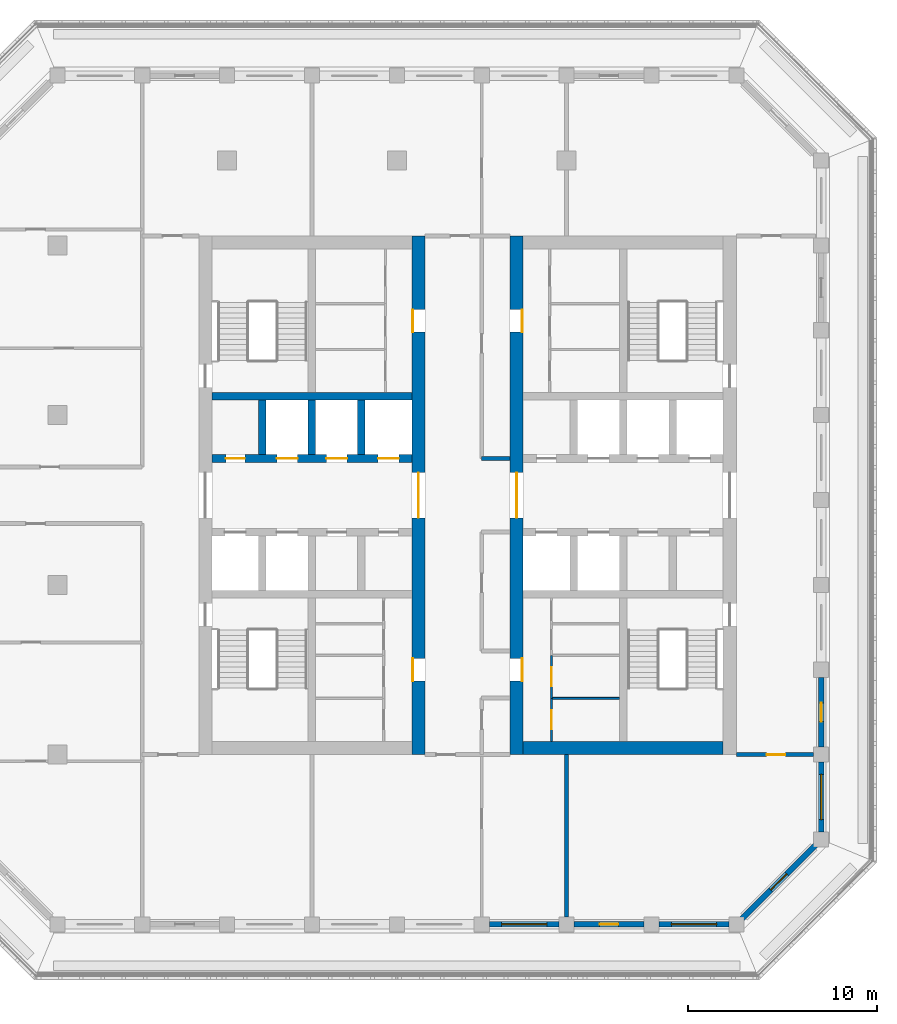
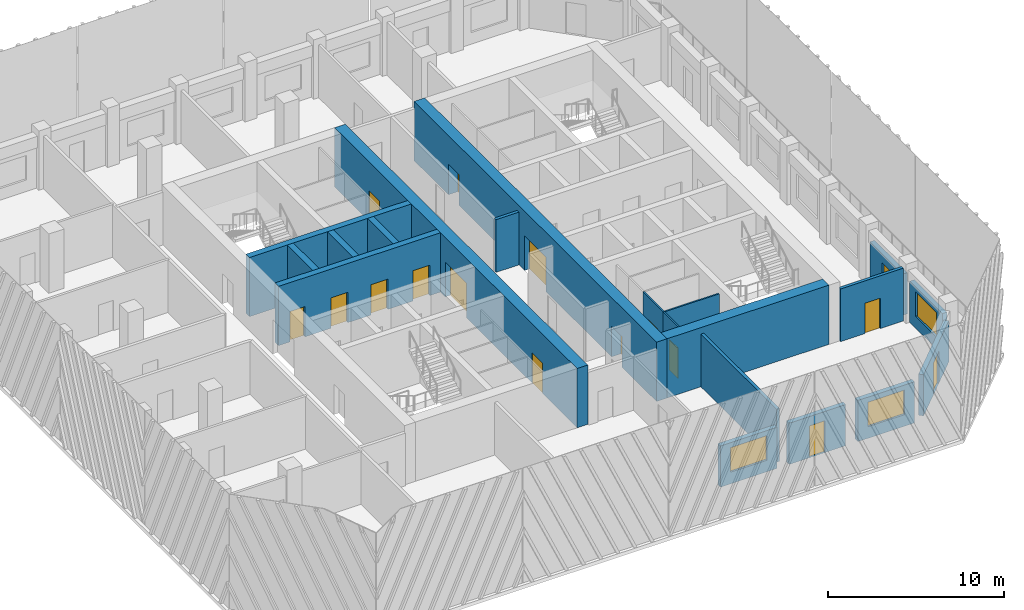
# One storey, part 4 of 15: 20 walls, 16 doors, 3 windows, 19 openings.
"""IFC4 building model written with IfcOpenShell, lengths in metres."""

from ifc_helpers import new_model, si_unit, direction, frame, frame_2d, origin, place, context, subcontext, project, spatial, rectangle, extrude, material, layer, layer_set, type_object, element, fill, save


model = new_model("IFC4")

# Units and contexts
model_context = context("Model", 3, precision=1e-05, world=origin(), true_north=direction((0.0, 1.0)))
body_context = subcontext(model_context, "Body", "Model", "MODEL_VIEW")
ifc_project = project(units=[si_unit("LENGTHUNIT", "METRE"), si_unit("AREAUNIT", "SQUARE_METRE"), si_unit("VOLUMEUNIT", "CUBIC_METRE"), si_unit("PLANEANGLEUNIT", "RADIAN"), si_unit("MASSUNIT", "GRAM", prefix="KILO")], contexts=[model_context])

# Site, building, storey
site_placement = place(None, origin())
site = spatial("IfcSite", under=ifc_project, at=site_placement, CompositionType="ELEMENT")
building_placement = place(site_placement, origin())
building = spatial("IfcBuilding", under=site, at=building_placement, Name="Corbel Stack Research Tower", CompositionType="ELEMENT")
storey_placement = place(building_placement, frame((0.0, 0.0, 282.699951171875)))
storey = spatial("IfcBuildingStorey", under=building, at=storey_placement, Name="L64", CompositionType="ELEMENT", Elevation=282.699951171875)

# Wall, openings, doors
ifc_material_1 = material(Name="Concrete C60/75", Category="concrete")
ifc_layer_1 = layer(ifc_material_1, 0.39990234375)
ifc_layer_set_1 = layer_set([ifc_layer_1], Name="Concrete C60/75")
wall_type_1 = type_object("IfcWallType", Name="CW-400-60", PredefinedType="SHEAR", material=ifc_layer_set_1)
wall_1_placement = place(storey_placement, frame((-9.800048828125, 6.699951171875, 0.0), z_axis=(0.0, 0.0, 1.0), x_axis=(1.0, 0.0, 0.0)))
wall_1 = element("IfcWall", 1, at=wall_1_placement, inside=storey, type_object=wall_type_1, Name="West core wall, lobby north L64", PredefinedType="SHEAR", context=body_context, shape_type="SweptSolid", body=[
    extrude(rectangle(XDim=10.60009765625, YDim=0.39990234375, at=frame_2d((5.300048828125, 0.0))), origin(), (0.0, 0.0, 1.0), 4.10009765625),
])
opening_1_placement = place(wall_1_placement, frame((3.4375, 0.0, 0.0)))
opening_1 = element("IfcOpeningElement", 2, at=opening_1_placement, cuts=wall_1, Name="Opening LD-HR1", PredefinedType="OPENING", context=body_context, shape_type="SweptSolid", body=[
    extrude(rectangle(XDim=1.10009765625, YDim=2.10009765625, at=frame_2d((0.550048828125, 1.050048828125))), frame((0.0, 0.2099609375, 0.0), z_axis=(0.0, -1.0, 0.0), x_axis=(1.0, 0.0, 0.0)), (0.0, 0.0, 1.0), 0.419921875),
])
opening_2_placement = place(wall_1_placement, frame((6.0625, 0.0, 0.0)))
opening_2 = element("IfcOpeningElement", 3, at=opening_2_placement, cuts=wall_1, Name="Opening LD-HR2", PredefinedType="OPENING", context=body_context, shape_type="SweptSolid", body=[
    extrude(rectangle(XDim=1.10009765625, YDim=2.10009765625, at=frame_2d((0.550048828125, 1.050048828125))), frame((0.0, 0.2099609375, 0.0), z_axis=(0.0, -1.0, 0.0), x_axis=(1.0, 0.0, 0.0)), (0.0, 0.0, 1.0), 0.419921875),
])
opening_3_placement = place(wall_1_placement, frame((8.8125, 0.0, 0.0)))
opening_3 = element("IfcOpeningElement", 4, at=opening_3_placement, cuts=wall_1, Name="Opening LD-HR3", PredefinedType="OPENING", context=body_context, shape_type="SweptSolid", body=[
    extrude(rectangle(XDim=1.10009765625, YDim=2.10009765625, at=frame_2d((0.550048828125, 1.050048828125))), frame((0.0, 0.2099609375, 0.0), z_axis=(0.0, -1.0, 0.0), x_axis=(1.0, 0.0, 0.0)), (0.0, 0.0, 1.0), 0.419921875),
])
opening_4_placement = place(wall_1_placement, frame((0.737548828125, 0.0, 0.0)))
opening_4 = element("IfcOpeningElement", 5, at=opening_4_placement, cuts=wall_1, Name="Opening CR-W42-N1", PredefinedType="OPENING", context=body_context, shape_type="SweptSolid", body=[
    extrude(rectangle(XDim=1.0, YDim=2.10009765625, at=frame_2d((0.5, 1.050048828125))), frame((0.0, 0.2099609375, 0.0), z_axis=(0.0, -1.0, 0.0), x_axis=(1.0, 0.0, 0.0)), (0.0, 0.0, 1.0), 0.419921875),
])
ifc_material_2 = material(Name="Stainless steel landing door", Category="steel")
door_type_1 = type_object("IfcDoorType", Name="Lift landing door 1100 x 2100", OperationType="DOUBLE_DOOR_SLIDING", PredefinedType="DOOR", material=ifc_material_2)
door_1_placement = place(opening_1_placement, origin())
door_1 = element("IfcDoor", 6, at=door_1_placement, inside=storey, type_object=door_type_1, Name="Landing door HR1", OperationType="DOUBLE_DOOR_SLIDING", OverallHeight=2.10009765625, OverallWidth=1.10009765625, PredefinedType="DOOR", context=body_context, shape_type="SweptSolid", body=[
    extrude(rectangle(XDim=1.10009765625, YDim=2.10009765625, at=frame_2d((0.550048828125, 1.050048828125))), frame((0.0, 0.02490234375, 0.0), z_axis=(0.0, -1.0, 0.0), x_axis=(1.0, 0.0, 0.0)), (0.0, 0.0, 1.0), 0.050048828125),
])
fill(opening_1, door_1)
door_2_placement = place(opening_2_placement, origin())
door_2 = element("IfcDoor", 7, at=door_2_placement, inside=storey, type_object=door_type_1, Name="Landing door HR2", OperationType="DOUBLE_DOOR_SLIDING", OverallHeight=2.10009765625, OverallWidth=1.10009765625, PredefinedType="DOOR", context=body_context, shape_type="SweptSolid", body=[
    extrude(rectangle(XDim=1.10009765625, YDim=2.10009765625, at=frame_2d((0.550048828125, 1.050048828125))), frame((0.0, 0.02490234375, 0.0), z_axis=(0.0, -1.0, 0.0), x_axis=(1.0, 0.0, 0.0)), (0.0, 0.0, 1.0), 0.050048828125),
])
fill(opening_2, door_2)
door_3_placement = place(opening_3_placement, origin())
door_3 = element("IfcDoor", 8, at=door_3_placement, inside=storey, type_object=door_type_1, Name="Landing door HR3", OperationType="DOUBLE_DOOR_SLIDING", OverallHeight=2.10009765625, OverallWidth=1.10009765625, PredefinedType="DOOR", context=body_context, shape_type="SweptSolid", body=[
    extrude(rectangle(XDim=1.10009765625, YDim=2.10009765625, at=frame_2d((0.550048828125, 1.050048828125))), frame((0.0, 0.02490234375, 0.0), z_axis=(0.0, -1.0, 0.0), x_axis=(1.0, 0.0, 0.0)), (0.0, 0.0, 1.0), 0.050048828125),
])
fill(opening_3, door_3)
ifc_material_3 = material(Name="Painted steel door", Category="steel")
door_type_2 = type_object("IfcDoorType", Name="Service door 1000 x 2100 FD60 left hand", OperationType="SINGLE_SWING_LEFT", PredefinedType="DOOR", material=ifc_material_3)
door_4_placement = place(opening_4_placement, origin())
door_4 = element("IfcDoor", 9, at=door_4_placement, inside=storey, type_object=door_type_2, Name="Copy and supply store door W core", OperationType="SINGLE_SWING_LEFT", OverallHeight=2.10009765625, OverallWidth=1.0, PredefinedType="DOOR", context=body_context, shape_type="SweptSolid", body=[
    extrude(rectangle(XDim=1.0, YDim=2.10009765625, at=frame_2d((0.5, 1.050048828125))), frame((0.0, 0.02490234375, 0.0), z_axis=(0.0, -1.0, 0.0), x_axis=(1.0, 0.0, 0.0)), (0.0, 0.0, 1.0), 0.050048828125),
])
fill(opening_4, door_4)

# Walls
wall_2_placement = place(storey_placement, frame((-9.800048828125, 10.0, 0.0), z_axis=(0.0, 0.0, 1.0), x_axis=(1.0, 0.0, 0.0)))
element("IfcWall", 10, at=wall_2_placement, inside=storey, type_object=wall_type_1, Name="West core wall, north row back L64", PredefinedType="SHEAR", context=body_context, shape_type="SweptSolid", body=[
    extrude(rectangle(XDim=10.60009765625, YDim=0.39990234375, at=frame_2d((5.300048828125, 0.0))), origin(), (0.0, 0.0, 1.0), 4.10009765625),
])
for number, where, z_axis, x_axis, name in (
    (11, (-7.125, 6.89990234375, 0.0), (0.0, 0.0, 1.0), (0.0, 1.0, 0.0), "West core wall, north shaft 1 L64"),
    (12, (-4.5, 6.89990234375, 0.0), (0.0, 0.0, 1.0), (0.0, 1.0, 0.0), "West core wall, north shaft 2 L64"),
    (13, (-1.875, 6.89990234375, 0.0), (0.0, 0.0, 1.0), (0.0, 1.0, 0.0), "West core wall, north shaft 3 L64"),
):
    element("IfcWall", number, at=place(storey_placement, frame(where, z_axis=z_axis, x_axis=x_axis)), inside=storey, type_object=wall_type_1, Name=name, PredefinedType="SHEAR", context=body_context, shape_type="SweptSolid", body=[
        extrude(rectangle(XDim=2.900146484375, YDim=0.39990234375, at=frame_2d((1.4501953125, 0.0))), origin(), (0.0, 0.0, 1.0), 4.10009765625),
    ])

# Wall, openings, doors
ifc_material_4 = material(Name="Concrete C60/75", Category="concrete")
ifc_layer_2 = layer(ifc_material_4, 0.699951171875)
ifc_layer_set_2 = layer_set([ifc_layer_2], Name="Concrete C60/75")
wall_type_2 = type_object("IfcWallType", Name="CW-700-60", PredefinedType="SHEAR", material=ifc_layer_set_2)
wall_3_placement = place(storey_placement, frame((1.14990234375, -9.0, 0.0), z_axis=(0.0, 0.0, 1.0), x_axis=(0.0, 1.0, 0.0)))
wall_3 = element("IfcWall", 14, at=wall_3_placement, inside=storey, type_object=wall_type_2, Name="West core wall, east face L64", PredefinedType="SHEAR", context=body_context, shape_type="SweptSolid", body=[
    extrude(rectangle(XDim=27.5, YDim=0.699951171875, at=frame_2d((13.75, 0.0))), origin(), (0.0, 0.0, 1.0), 4.10009765625),
])
opening_5_placement = place(wall_3_placement, frame((12.550048828125, 0.0, 0.0)))
opening_5 = element("IfcOpeningElement", 15, at=opening_5_placement, cuts=wall_3, Name="Opening CD-W-E", PredefinedType="OPENING", context=body_context, shape_type="SweptSolid", body=[
    extrude(rectangle(XDim=2.39990234375, YDim=2.39990234375, at=frame_2d((1.199951171875, 1.199951171875))), frame((0.0, 0.35986328125, 0.0), z_axis=(0.0, -1.0, 0.0), x_axis=(1.0, 0.0, 0.0)), (0.0, 0.0, 1.0), 0.719970703125),
])
opening_6_placement = place(wall_3_placement, frame((3.89990234375, 0.0, 0.0)))
opening_6 = element("IfcOpeningElement", 16, at=opening_6_placement, cuts=wall_3, Name="Opening CR-W42-W1-1200", PredefinedType="OPENING", context=body_context, shape_type="SweptSolid", body=[
    extrude(rectangle(XDim=1.199951171875, YDim=2.10009765625, at=frame_2d((0.60009765625, 1.050048828125))), frame((0.0, 0.35986328125, 0.0), z_axis=(0.0, -1.0, 0.0), x_axis=(1.0, 0.0, 0.0)), (0.0, 0.0, 1.0), 0.719970703125),
])
opening_7_placement = place(wall_3_placement, frame((22.39990234375, 0.0, 0.0)))
opening_7 = element("IfcOpeningElement", 17, at=opening_7_placement, cuts=wall_3, Name="Opening CR-W42-R1-1200", PredefinedType="OPENING", context=body_context, shape_type="SweptSolid", body=[
    extrude(rectangle(XDim=1.199951171875, YDim=2.10009765625, at=frame_2d((0.60009765625, 1.050048828125))), frame((0.0, 0.35986328125, 0.0), z_axis=(0.0, -1.0, 0.0), x_axis=(1.0, 0.0, 0.0)), (0.0, 0.0, 1.0), 0.719970703125),
])
ifc_material_5 = material(Name="Painted steel fire door", Category="steel")
door_type_3 = type_object("IfcDoorType", Name="Lobby door pair 2400 x 2400 FD30S", OperationType="DOUBLE_DOOR_DOUBLE_SWING", PredefinedType="DOOR", material=ifc_material_5)
door_5_placement = place(opening_5_placement, origin())
door_5 = element("IfcDoor", 18, at=door_5_placement, inside=storey, type_object=door_type_3, Name="Lift lobby door W core E", OperationType="DOUBLE_DOOR_DOUBLE_SWING", OverallHeight=2.39990234375, OverallWidth=2.39990234375, PredefinedType="DOOR", context=body_context, shape_type="SweptSolid", body=[
    extrude(rectangle(XDim=2.39990234375, YDim=2.39990234375, at=frame_2d((1.199951171875, 1.199951171875))), frame((0.0, 0.02490234375, 0.0), z_axis=(0.0, -1.0, 0.0), x_axis=(1.0, 0.0, 0.0)), (0.0, 0.0, 1.0), 0.050048828125),
])
fill(opening_5, door_5)
ifc_material_6 = material(Name="Painted steel door", Category="steel")
door_type_4 = type_object("IfcDoorType", Name="Service door 1200 x 2100 FD30 left hand", OperationType="SINGLE_SWING_LEFT", PredefinedType="DOOR", material=ifc_material_6)
door_6_placement = place(opening_7_placement, origin())
door_6 = element("IfcDoor", 19, at=door_6_placement, inside=storey, type_object=door_type_4, Name="Service passage door W core", OperationType="SINGLE_SWING_LEFT", OverallHeight=2.10009765625, OverallWidth=1.199951171875, PredefinedType="DOOR", context=body_context, shape_type="SweptSolid", body=[
    extrude(rectangle(XDim=1.199951171875, YDim=2.10009765625, at=frame_2d((0.60009765625, 1.050048828125))), frame((0.0, 0.3251953125, 0.0), z_axis=(0.0, -1.0, 0.0), x_axis=(1.0, 0.0, 0.0)), (0.0, 0.0, 1.0), 0.050048828125),
])
fill(opening_7, door_6)
ifc_material_7 = material(Name="Painted timber door", Category="wood")
door_type_5 = type_object("IfcDoorType", Name="WC door 1200 x 2100 left hand", OperationType="SINGLE_SWING_LEFT", PredefinedType="DOOR", material=ifc_material_7)
door_7_placement = place(opening_6_placement, origin())
door_7 = element("IfcDoor", 20, at=door_7_placement, inside=storey, type_object=door_type_5, Name="WC lobby door W core", OperationType="SINGLE_SWING_LEFT", OverallHeight=2.10009765625, OverallWidth=1.199951171875, PredefinedType="DOOR", context=body_context, shape_type="SweptSolid", body=[
    extrude(rectangle(XDim=1.199951171875, YDim=2.10009765625, at=frame_2d((0.60009765625, 1.050048828125))), frame((0.0, 0.3251953125, 0.0), z_axis=(0.0, -1.0, 0.0), x_axis=(1.0, 0.0, 0.0)), (0.0, 0.0, 1.0), 0.050048828125),
])
fill(opening_6, door_7)

wall_4_placement = place(storey_placement, frame((6.35009765625, -9.0, 0.0), z_axis=(0.0, 0.0, 1.0), x_axis=(0.0, 1.0, 0.0)))
wall_4 = element("IfcWall", 21, at=wall_4_placement, inside=storey, type_object=wall_type_2, Name="East core wall, west face L64", PredefinedType="SHEAR", context=body_context, shape_type="SweptSolid", body=[
    extrude(rectangle(XDim=27.5, YDim=0.699951171875, at=frame_2d((13.75, 0.0))), origin(), (0.0, 0.0, 1.0), 4.10009765625),
])
opening_8_placement = place(wall_4_placement, frame((12.550048828125, 0.0, 0.0)))
opening_8 = element("IfcOpeningElement", 22, at=opening_8_placement, cuts=wall_4, Name="Opening CD-E-W", PredefinedType="OPENING", context=body_context, shape_type="SweptSolid", body=[
    extrude(rectangle(XDim=2.39990234375, YDim=2.39990234375, at=frame_2d((1.199951171875, 1.199951171875))), frame((0.0, 0.35986328125, 0.0), z_axis=(0.0, -1.0, 0.0), x_axis=(1.0, 0.0, 0.0)), (0.0, 0.0, 1.0), 0.719970703125),
])
opening_9_placement = place(wall_4_placement, frame((3.89990234375, 0.0, 0.0)))
opening_9 = element("IfcOpeningElement", 23, at=opening_9_placement, cuts=wall_4, Name="Opening CR-E42-W1-1200", PredefinedType="OPENING", context=body_context, shape_type="SweptSolid", body=[
    extrude(rectangle(XDim=1.199951171875, YDim=2.10009765625, at=frame_2d((0.60009765625, 1.050048828125))), frame((0.0, 0.35986328125, 0.0), z_axis=(0.0, -1.0, 0.0), x_axis=(1.0, 0.0, 0.0)), (0.0, 0.0, 1.0), 0.719970703125),
])
opening_10_placement = place(wall_4_placement, frame((22.39990234375, 0.0, 0.0)))
opening_10 = element("IfcOpeningElement", 24, at=opening_10_placement, cuts=wall_4, Name="Opening CR-E42-R1-1200", PredefinedType="OPENING", context=body_context, shape_type="SweptSolid", body=[
    extrude(rectangle(XDim=1.199951171875, YDim=2.10009765625, at=frame_2d((0.60009765625, 1.050048828125))), frame((0.0, 0.35986328125, 0.0), z_axis=(0.0, -1.0, 0.0), x_axis=(1.0, 0.0, 0.0)), (0.0, 0.0, 1.0), 0.719970703125),
])
door_8_placement = place(opening_8_placement, origin())
door_8 = element("IfcDoor", 25, at=door_8_placement, inside=storey, type_object=door_type_3, Name="Lift lobby door E core W", OperationType="DOUBLE_DOOR_DOUBLE_SWING", OverallHeight=2.39990234375, OverallWidth=2.39990234375, PredefinedType="DOOR", context=body_context, shape_type="SweptSolid", body=[
    extrude(rectangle(XDim=2.39990234375, YDim=2.39990234375, at=frame_2d((1.199951171875, 1.199951171875))), frame((0.0, 0.02490234375, 0.0), z_axis=(0.0, -1.0, 0.0), x_axis=(1.0, 0.0, 0.0)), (0.0, 0.0, 1.0), 0.050048828125),
])
fill(opening_8, door_8)
ifc_material_8 = material(Name="Painted steel door", Category="steel")
door_type_6 = type_object("IfcDoorType", Name="Service door 1200 x 2100 FD30 right hand", OperationType="SINGLE_SWING_RIGHT", PredefinedType="DOOR", material=ifc_material_8)
door_9_placement = place(opening_10_placement, origin())
door_9 = element("IfcDoor", 26, at=door_9_placement, inside=storey, type_object=door_type_6, Name="Service passage door E core", OperationType="SINGLE_SWING_RIGHT", OverallHeight=2.10009765625, OverallWidth=1.199951171875, PredefinedType="DOOR", context=body_context, shape_type="SweptSolid", body=[
    extrude(rectangle(XDim=1.199951171875, YDim=2.10009765625, at=frame_2d((0.60009765625, 1.050048828125))), frame((0.0, -0.27490234375, 0.0), z_axis=(0.0, -1.0, 0.0), x_axis=(1.0, 0.0, 0.0)), (0.0, 0.0, 1.0), 0.050048828125),
])
fill(opening_10, door_9)
ifc_material_9 = material(Name="Painted timber door", Category="wood")
door_type_7 = type_object("IfcDoorType", Name="WC door 1200 x 2100 right hand", OperationType="SINGLE_SWING_RIGHT", PredefinedType="DOOR", material=ifc_material_9)
door_10_placement = place(opening_9_placement, origin())
door_10 = element("IfcDoor", 27, at=door_10_placement, inside=storey, type_object=door_type_7, Name="WC lobby door E core", OperationType="SINGLE_SWING_RIGHT", OverallHeight=2.10009765625, OverallWidth=1.199951171875, PredefinedType="DOOR", context=body_context, shape_type="SweptSolid", body=[
    extrude(rectangle(XDim=1.199951171875, YDim=2.10009765625, at=frame_2d((0.60009765625, 1.050048828125))), frame((0.0, -0.27490234375, 0.0), z_axis=(0.0, -1.0, 0.0), x_axis=(1.0, 0.0, 0.0)), (0.0, 0.0, 1.0), 0.050048828125),
])
fill(opening_9, door_10)

# Wall
wall_5_placement = place(storey_placement, frame((6.699951171875, -8.64990234375, 0.0), z_axis=(0.0, 0.0, 1.0), x_axis=(1.0, 0.0, 0.0)))
element("IfcWall", 28, at=wall_5_placement, inside=storey, type_object=wall_type_2, Name="East core wall, south end L64", PredefinedType="SHEAR", context=body_context, shape_type="SweptSolid", body=[
    extrude(rectangle(XDim=10.60009765625, YDim=0.699951171875, at=frame_2d((5.300048828125, 0.0))), origin(), (0.0, 0.0, 1.0), 4.10009765625),
])

# Wall, opening, door
ifc_material_10 = material(Name="Gypsum board")
ifc_layer_3 = layer(ifc_material_10, 0.10009765625)
ifc_layer_set_3 = layer_set([ifc_layer_3], Name="Gypsum board")
wall_type_3 = type_object("IfcWallType", Name="Core partition 100", PredefinedType="PARTITIONING", material=ifc_layer_set_3)
wall_6_placement = place(storey_placement, frame((8.199951171875, -8.300048828125, 0.0), z_axis=(0.0, 0.0, 1.0), x_axis=(0.0, 1.0, 0.0)))
wall_6 = element("IfcWall", 29, at=wall_6_placement, inside=storey, type_object=wall_type_3, Name="Core partition E", PredefinedType="PARTITIONING", context=body_context, shape_type="SweptSolid", body=[
    extrude(rectangle(XDim=2.280029296875, YDim=0.10009765625, at=frame_2d((1.14013671875, 0.0))), origin(), (0.0, 0.0, 1.0), 3.650146484375),
])
opening_11_placement = place(wall_6_placement, frame((0.639892578125, 0.0, 0.0)))
opening_11 = element("IfcOpeningElement", 30, at=opening_11_placement, cuts=wall_6, Name="Opening CR-E42-W2-1000", PredefinedType="OPENING", context=body_context, shape_type="SweptSolid", body=[
    extrude(rectangle(XDim=1.0, YDim=2.10009765625, at=frame_2d((0.5, 1.050048828125))), frame((0.0, 0.06005859375, 0.0), z_axis=(0.0, -1.0, 0.0), x_axis=(1.0, 0.0, 0.0)), (0.0, 0.0, 1.0), 0.1201171875),
])
ifc_material_11 = material(Name="Painted timber door", Category="wood")
door_type_8 = type_object("IfcDoorType", Name="WC door 1000 x 2100 left hand", OperationType="SINGLE_SWING_LEFT", PredefinedType="DOOR", material=ifc_material_11)
door_11_placement = place(opening_11_placement, origin())
door_11 = element("IfcDoor", 31, at=door_11_placement, inside=storey, type_object=door_type_8, Name="Men's WC door E core", OperationType="SINGLE_SWING_LEFT", OverallHeight=2.10009765625, OverallWidth=1.0, PredefinedType="DOOR", context=body_context, shape_type="SweptSolid", body=[
    extrude(rectangle(XDim=1.0, YDim=2.10009765625, at=frame_2d((0.5, 1.050048828125))), frame((0.0, 0.02490234375, 0.0), z_axis=(0.0, -1.0, 0.0), x_axis=(1.0, 0.0, 0.0)), (0.0, 0.0, 1.0), 0.050048828125),
])
fill(opening_11, door_11)

wall_7_placement = place(storey_placement, frame((8.199951171875, -6.02001953125, 0.0), z_axis=(0.0, 0.0, 1.0), x_axis=(0.0, 1.0, 0.0)))
wall_7 = element("IfcWall", 32, at=wall_7_placement, inside=storey, type_object=wall_type_3, Name="Core partition E", PredefinedType="PARTITIONING", context=body_context, shape_type="SweptSolid", body=[
    extrude(rectangle(XDim=2.280029296875, YDim=0.10009765625, at=frame_2d((1.14013671875, 0.0))), origin(), (0.0, 0.0, 1.0), 3.650146484375),
])
opening_12_placement = place(wall_7_placement, frame((0.639892578125, 0.0, 0.0)))
opening_12 = element("IfcOpeningElement", 33, at=opening_12_placement, cuts=wall_7, Name="Opening CR-E42-W3-1000", PredefinedType="OPENING", context=body_context, shape_type="SweptSolid", body=[
    extrude(rectangle(XDim=1.0, YDim=2.10009765625, at=frame_2d((0.5, 1.050048828125))), frame((0.0, 0.06005859375, 0.0), z_axis=(0.0, -1.0, 0.0), x_axis=(1.0, 0.0, 0.0)), (0.0, 0.0, 1.0), 0.1201171875),
])
ifc_material_12 = material(Name="Painted timber door", Category="wood")
door_type_9 = type_object("IfcDoorType", Name="WC door 1000 x 2100 right hand", OperationType="SINGLE_SWING_RIGHT", PredefinedType="DOOR", material=ifc_material_12)
door_12_placement = place(opening_12_placement, origin())
door_12 = element("IfcDoor", 34, at=door_12_placement, inside=storey, type_object=door_type_9, Name="Women's WC door E core", OperationType="SINGLE_SWING_RIGHT", OverallHeight=2.10009765625, OverallWidth=1.0, PredefinedType="DOOR", context=body_context, shape_type="SweptSolid", body=[
    extrude(rectangle(XDim=1.0, YDim=2.10009765625, at=frame_2d((0.5, 1.050048828125))), frame((0.0, 0.02490234375, 0.0), z_axis=(0.0, -1.0, 0.0), x_axis=(1.0, 0.0, 0.0)), (0.0, 0.0, 1.0), 0.050048828125),
])
fill(opening_12, door_12)

# Walls
wall_8_placement = place(storey_placement, frame((8.199951171875, -6.02001953125, 0.0), z_axis=(0.0, 0.0, 1.0), x_axis=(1.0, 0.0, 0.0)))
element("IfcWall", 35, at=wall_8_placement, inside=storey, type_object=wall_type_3, Name="Core partition E", PredefinedType="PARTITIONING", context=body_context, shape_type="SweptSolid", body=[
    extrude(rectangle(XDim=3.60009765625, YDim=0.10009765625, at=frame_2d((1.800048828125, 0.0))), origin(), (0.0, 0.0, 1.0), 3.650146484375),
])
ifc_material_13 = material(Name="Fire-rated gypsum board partition on steel studs", Category="steel")
ifc_layer_4 = layer(ifc_material_13, 0.199951171875)
ifc_layer_set_4 = layer_set([ifc_layer_4], Name="Fire-rated gypsum board partition on steel studs")
wall_type_4 = type_object("IfcWallType", Name="Fire-rated partition 200 EI 60", PredefinedType="PARTITIONING", material=ifc_layer_set_4)
wall_9_placement = place(storey_placement, frame((9.0, -17.60009765625, 0.0), z_axis=(0.0, 0.0, 1.0), x_axis=(0.0, 1.0, 0.0)))
element("IfcWall", 36, at=wall_9_placement, inside=storey, type_object=wall_type_4, Name="Partition L64-010", PredefinedType="PARTITIONING", context=body_context, shape_type="SweptSolid", body=[
    extrude(rectangle(XDim=8.60009765625, YDim=0.199951171875, at=frame_2d((4.300048828125, 0.0))), origin(), (0.0, 0.0, 1.0), 3.650146484375),
])

# Wall, opening, door
wall_10_placement = place(storey_placement, frame((22.10009765625, -9.0, 0.0), z_axis=(0.0, 0.0, 1.0), x_axis=(-1.0, 0.0, 0.0)))
wall_10 = element("IfcWall", 37, at=wall_10_placement, inside=storey, type_object=wall_type_4, Name="Partition L64-017", PredefinedType="PARTITIONING", context=body_context, shape_type="SweptSolid", body=[
    extrude(rectangle(XDim=4.10009765625, YDim=0.199951171875, at=frame_2d((2.050048828125, 0.0))), origin(), (0.0, 0.0, 1.0), 3.650146484375),
])
opening_13_placement = place(wall_10_placement, frame((1.5, 0.0, 0.0)))
opening_13 = element("IfcOpeningElement", 38, at=opening_13_placement, cuts=wall_10, Name="Opening B8V2-004", PredefinedType="OPENING", context=body_context, shape_type="SweptSolid", body=[
    extrude(rectangle(XDim=1.0, YDim=2.10009765625, at=frame_2d((0.5, 1.050048828125))), frame((0.0, 0.10986328125, 0.0), z_axis=(0.0, -1.0, 0.0), x_axis=(1.0, 0.0, 0.0)), (0.0, 0.0, 1.0), 0.219970703125),
])
ifc_material_14 = material(Name="Painted steel fire door", Category="steel")
door_type_10 = type_object("IfcDoorType", Name="Fire door FD30S 1000 x 2100", OperationType="NOTDEFINED", PredefinedType="DOOR", material=ifc_material_14)
door_13_placement = place(opening_13_placement, origin())
door_13 = element("IfcDoor", 39, at=door_13_placement, inside=storey, type_object=door_type_10, Name="Door B8V2-004", OperationType="SINGLE_SWING_LEFT", OverallHeight=2.10009765625, OverallWidth=1.0, PredefinedType="DOOR", context=body_context, shape_type="SweptSolid", body=[
    extrude(rectangle(XDim=1.0, YDim=2.10009765625, at=frame_2d((0.5, 1.050048828125))), frame((0.0, 0.02490234375, 0.0), z_axis=(0.0, -1.0, 0.0), x_axis=(1.0, 0.0, 0.0)), (0.0, 0.0, 1.0), 0.050048828125),
])
fill(opening_13, door_13)

# Wall
wall_11_placement = place(storey_placement, frame((4.5, 6.699951171875, 0.0), z_axis=(0.0, 0.0, 1.0), x_axis=(1.0, 0.0, 0.0)))
element("IfcWall", 40, at=wall_11_placement, inside=storey, type_object=wall_type_4, Name="Partition L64-024", PredefinedType="PARTITIONING", context=body_context, shape_type="SweptSolid", body=[
    extrude(rectangle(XDim=1.5, YDim=0.199951171875, at=frame_2d((0.75, 0.0))), origin(), (0.0, 0.0, 1.0), 3.650146484375),
])

# Wall, opening, window
ifc_material_15 = material(Name="Concrete C45/55", Category="concrete")
ifc_layer_5 = layer(ifc_material_15, 0.300048828125)
ifc_layer_set_5 = layer_set([ifc_layer_5], Name="Concrete C45/55")
wall_type_5 = type_object("IfcWallType", Name="Terracotta-faced concrete wall 300", PredefinedType="SOLIDWALL", material=ifc_layer_set_5)
wall_12_placement = place(storey_placement, frame((8.60009765625, -18.0, 0.0), z_axis=(0.0, 0.0, 1.0), x_axis=(-1.0, 0.0, 0.0)))
wall_12 = element("IfcWall", 41, at=wall_12_placement, inside=storey, type_object=wall_type_5, Name="Facade wall L64 S06", PredefinedType="SOLIDWALL", context=body_context, shape_type="SweptSolid", body=[
    extrude(rectangle(XDim=3.7001953125, YDim=0.300048828125, at=frame_2d((1.85009765625, 0.0))), origin(), (0.0, 0.0, 1.0), 2.85009765625),
])
opening_14_placement = place(wall_12_placement, frame((0.64990234375, 0.0, 0.800048828125)))
opening_14 = element("IfcOpeningElement", 42, at=opening_14_placement, cuts=wall_12, Name="Opening W1", PredefinedType="OPENING", context=body_context, shape_type="SweptSolid", body=[
    extrude(rectangle(XDim=2.39990234375, YDim=1.699951171875, at=frame_2d((1.199951171875, 0.85009765625))), frame((0.0, 0.159912109375, 0.0), z_axis=(0.0, -1.0, 0.0), x_axis=(1.0, 0.0, 0.0)), (0.0, 0.0, 1.0), 0.320068359375),
])
ifc_material_16 = material(Name="Aluminium frame, clear double glazing", Category="aluminium")
window_type = type_object("IfcWindowType", Name="Window W1 2400 x 1700", PartitioningType="SINGLE_PANEL", PredefinedType="WINDOW", material=ifc_material_16)
window_1_placement = place(opening_14_placement, origin())
window_1 = element("IfcWindow", 43, at=window_1_placement, inside=storey, type_object=window_type, Name="Window W1 L64 S06", OverallHeight=1.699951171875, OverallWidth=2.39990234375, PartitioningType="SINGLE_PANEL", PredefinedType="WINDOW", context=body_context, shape_type="SweptSolid", body=[
    extrude(rectangle(XDim=2.39990234375, YDim=1.699951171875, at=frame_2d((1.199951171875, 0.85009765625))), frame((0.0, 0.030029296875, 0.0), z_axis=(0.0, -1.0, 0.0), x_axis=(1.0, 0.0, 0.0)), (0.0, 0.0, 1.0), 0.06005859375),
])
fill(opening_14, window_1)

# Wall, opening, door
wall_13_placement = place(storey_placement, frame((13.10009765625, -18.0, 0.0), z_axis=(0.0, 0.0, 1.0), x_axis=(-1.0, 0.0, 0.0)))
wall_13 = element("IfcWall", 44, at=wall_13_placement, inside=storey, type_object=wall_type_5, Name="Facade wall L64 S07", PredefinedType="SOLIDWALL", context=body_context, shape_type="SweptSolid", body=[
    extrude(rectangle(XDim=3.7001953125, YDim=0.300048828125, at=frame_2d((1.85009765625, 0.0))), origin(), (0.0, 0.0, 1.0), 2.85009765625),
])
opening_15_placement = place(wall_13_placement, frame((1.35009765625, 0.0, 0.0)))
opening_15 = element("IfcOpeningElement", 45, at=opening_15_placement, cuts=wall_13, Name="Opening L64-B02", PredefinedType="OPENING", context=body_context, shape_type="SweptSolid", body=[
    extrude(rectangle(XDim=1.0, YDim=2.199951171875, at=frame_2d((0.5, 1.10009765625))), frame((0.0, 0.159912109375, 0.0), z_axis=(0.0, -1.0, 0.0), x_axis=(1.0, 0.0, 0.0)), (0.0, 0.0, 1.0), 0.320068359375),
])
ifc_material_17 = material(Name="Aluminium frame, clear double glazing", Category="aluminium")
door_type_11 = type_object("IfcDoorType", Name="Balcony door BD1 1000 x 2200", OperationType="NOTDEFINED", PredefinedType="DOOR", material=ifc_material_17)
door_14_placement = place(opening_15_placement, origin())
door_14 = element("IfcDoor", 46, at=door_14_placement, inside=storey, type_object=door_type_11, Name="Balcony door L64-B02", OperationType="SINGLE_SWING_LEFT", OverallHeight=2.199951171875, OverallWidth=1.0, PredefinedType="DOOR", context=body_context, shape_type="SweptSolid", body=[
    extrude(rectangle(XDim=1.0, YDim=2.199951171875, at=frame_2d((0.5, 1.10009765625))), frame((0.0, 0.02490234375, 0.0), z_axis=(0.0, -1.0, 0.0), x_axis=(1.0, 0.0, 0.0)), (0.0, 0.0, 1.0), 0.050048828125),
])
fill(opening_15, door_14)

# Wall, opening, window
wall_14_placement = place(storey_placement, frame((17.60009765625, -18.0, 0.0), z_axis=(0.0, 0.0, 1.0), x_axis=(-1.0, 0.0, 0.0)))
wall_14 = element("IfcWall", 47, at=wall_14_placement, inside=storey, type_object=wall_type_5, Name="Facade wall L64 S08", PredefinedType="SOLIDWALL", context=body_context, shape_type="SweptSolid", body=[
    extrude(rectangle(XDim=3.7001953125, YDim=0.300048828125, at=frame_2d((1.85009765625, 0.0))), origin(), (0.0, 0.0, 1.0), 2.85009765625),
])
opening_16_placement = place(wall_14_placement, frame((0.64990234375, 0.0, 0.800048828125)))
opening_16 = element("IfcOpeningElement", 48, at=opening_16_placement, cuts=wall_14, Name="Opening W1", PredefinedType="OPENING", context=body_context, shape_type="SweptSolid", body=[
    extrude(rectangle(XDim=2.39990234375, YDim=1.699951171875, at=frame_2d((1.199951171875, 0.85009765625))), frame((0.0, 0.159912109375, 0.0), z_axis=(0.0, -1.0, 0.0), x_axis=(1.0, 0.0, 0.0)), (0.0, 0.0, 1.0), 0.320068359375),
])
window_2_placement = place(opening_16_placement, origin())
window_2 = element("IfcWindow", 49, at=window_2_placement, inside=storey, type_object=window_type, Name="Window W1 L64 S08", OverallHeight=1.699951171875, OverallWidth=2.39990234375, PartitioningType="SINGLE_PANEL", PredefinedType="WINDOW", context=body_context, shape_type="SweptSolid", body=[
    extrude(rectangle(XDim=2.39990234375, YDim=1.699951171875, at=frame_2d((1.199951171875, 0.85009765625))), frame((0.0, 0.030029296875, 0.0), z_axis=(0.0, -1.0, 0.0), x_axis=(1.0, 0.0, 0.0)), (0.0, 0.0, 1.0), 0.06005859375),
])
fill(opening_16, window_2)

# Wall, opening, door
wall_15_placement = place(storey_placement, frame((22.2060546875, -13.7939453125, 0.0), z_axis=(0.0, 0.0, 1.0), x_axis=(-0.707106781187, -0.707106781187, 0.0)))
wall_15 = element("IfcWall", 50, at=wall_15_placement, inside=storey, type_object=wall_type_5, Name="Facade wall L64 SE01", PredefinedType="SOLIDWALL", context=body_context, shape_type="SweptSolid", body=[
    extrude(rectangle(XDim=5.532470703125, YDim=0.300048828125, at=frame_2d((2.76611328125, 0.0))), origin(), (0.0, 0.0, 1.0), 2.85009765625),
])
opening_17_placement = place(wall_15_placement, frame((2.166259765625, 0.0, 0.0)))
opening_17 = element("IfcOpeningElement", 51, at=opening_17_placement, cuts=wall_15, Name="Opening L64-B03", PredefinedType="OPENING", context=body_context, shape_type="SweptSolid", body=[
    extrude(rectangle(XDim=1.199951171875, YDim=2.199951171875, at=frame_2d((0.60009765625, 1.10009765625))), frame((0.0, 0.159912109375, 0.0), z_axis=(0.0, -1.0, 0.0), x_axis=(1.0, 0.0, 0.0)), (0.0, 0.0, 1.0), 0.320068359375),
])
ifc_material_18 = material(Name="Aluminium frame, clear double glazing", Category="aluminium")
door_type_12 = type_object("IfcDoorType", Name="Balcony door BD2 1200 x 2200", OperationType="NOTDEFINED", PredefinedType="DOOR", material=ifc_material_18)
door_15_placement = place(opening_17_placement, origin())
door_15 = element("IfcDoor", 52, at=door_15_placement, inside=storey, type_object=door_type_12, Name="Balcony door L64-B03", OperationType="SINGLE_SWING_LEFT", OverallHeight=2.199951171875, OverallWidth=1.199951171875, PredefinedType="DOOR", context=body_context, shape_type="SweptSolid", body=[
    extrude(rectangle(XDim=1.199951171875, YDim=2.199951171875, at=frame_2d((0.60009765625, 1.10009765625))), frame((0.0, 0.02490234375, 0.0), z_axis=(0.0, -1.0, 0.0), x_axis=(1.0, 0.0, 0.0)), (0.0, 0.0, 1.0), 0.050048828125),
])
fill(opening_17, door_15)

# Wall, opening, window
wall_16_placement = place(storey_placement, frame((22.5, -9.39990234375, 0.0), z_axis=(0.0, 0.0, 1.0), x_axis=(0.0, -1.0, 0.0)))
wall_16 = element("IfcWall", 53, at=wall_16_placement, inside=storey, type_object=wall_type_5, Name="Facade wall L64 E01", PredefinedType="SOLIDWALL", context=body_context, shape_type="SweptSolid", body=[
    extrude(rectangle(XDim=3.7001953125, YDim=0.300048828125, at=frame_2d((1.85009765625, 0.0))), origin(), (0.0, 0.0, 1.0), 2.85009765625),
])
opening_18_placement = place(wall_16_placement, frame((0.64990234375, 0.0, 0.800048828125)))
opening_18 = element("IfcOpeningElement", 54, at=opening_18_placement, cuts=wall_16, Name="Opening W1", PredefinedType="OPENING", context=body_context, shape_type="SweptSolid", body=[
    extrude(rectangle(XDim=2.39990234375, YDim=1.699951171875, at=frame_2d((1.199951171875, 0.85009765625))), frame((0.0, 0.159912109375, 0.0), z_axis=(0.0, -1.0, 0.0), x_axis=(1.0, 0.0, 0.0)), (0.0, 0.0, 1.0), 0.320068359375),
])
window_3_placement = place(opening_18_placement, origin())
window_3 = element("IfcWindow", 55, at=window_3_placement, inside=storey, type_object=window_type, Name="Window W1 L64 E01", OverallHeight=1.699951171875, OverallWidth=2.39990234375, PartitioningType="SINGLE_PANEL", PredefinedType="WINDOW", context=body_context, shape_type="SweptSolid", body=[
    extrude(rectangle(XDim=2.39990234375, YDim=1.699951171875, at=frame_2d((1.199951171875, 0.85009765625))), frame((0.0, 0.030029296875, 0.0), z_axis=(0.0, -1.0, 0.0), x_axis=(1.0, 0.0, 0.0)), (0.0, 0.0, 1.0), 0.06005859375),
])
fill(opening_18, window_3)

# Wall, opening, door
wall_17_placement = place(storey_placement, frame((22.5, -4.89990234375, 0.0), z_axis=(0.0, 0.0, 1.0), x_axis=(0.0, -1.0, 0.0)))
wall_17 = element("IfcWall", 56, at=wall_17_placement, inside=storey, type_object=wall_type_5, Name="Facade wall L64 E02", PredefinedType="SOLIDWALL", context=body_context, shape_type="SweptSolid", body=[
    extrude(rectangle(XDim=3.7001953125, YDim=0.300048828125, at=frame_2d((1.85009765625, 0.0))), origin(), (0.0, 0.0, 1.0), 2.85009765625),
])
opening_19_placement = place(wall_17_placement, frame((1.35009765625, 0.0, 0.0)))
opening_19 = element("IfcOpeningElement", 57, at=opening_19_placement, cuts=wall_17, Name="Opening L64-B04", PredefinedType="OPENING", context=body_context, shape_type="SweptSolid", body=[
    extrude(rectangle(XDim=1.0, YDim=2.199951171875, at=frame_2d((0.5, 1.10009765625))), frame((0.0, 0.159912109375, 0.0), z_axis=(0.0, -1.0, 0.0), x_axis=(1.0, 0.0, 0.0)), (0.0, 0.0, 1.0), 0.320068359375),
])
door_16_placement = place(opening_19_placement, origin())
door_16 = element("IfcDoor", 58, at=door_16_placement, inside=storey, type_object=door_type_11, Name="Balcony door L64-B04", OperationType="SINGLE_SWING_RIGHT", OverallHeight=2.199951171875, OverallWidth=1.0, PredefinedType="DOOR", context=body_context, shape_type="SweptSolid", body=[
    extrude(rectangle(XDim=1.0, YDim=2.199951171875, at=frame_2d((0.5, 1.10009765625))), frame((0.0, 0.02490234375, 0.0), z_axis=(0.0, -1.0, 0.0), x_axis=(1.0, 0.0, 0.0)), (0.0, 0.0, 1.0), 0.050048828125),
])
fill(opening_19, door_16)

save(model, "model.ifc")
